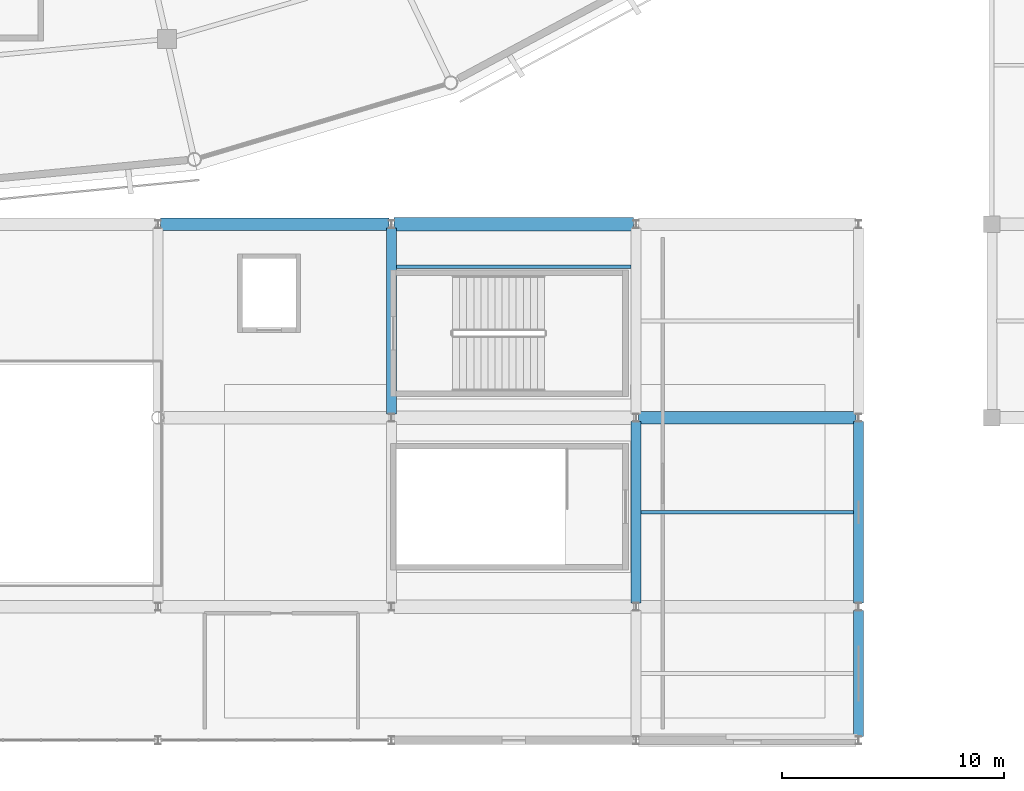
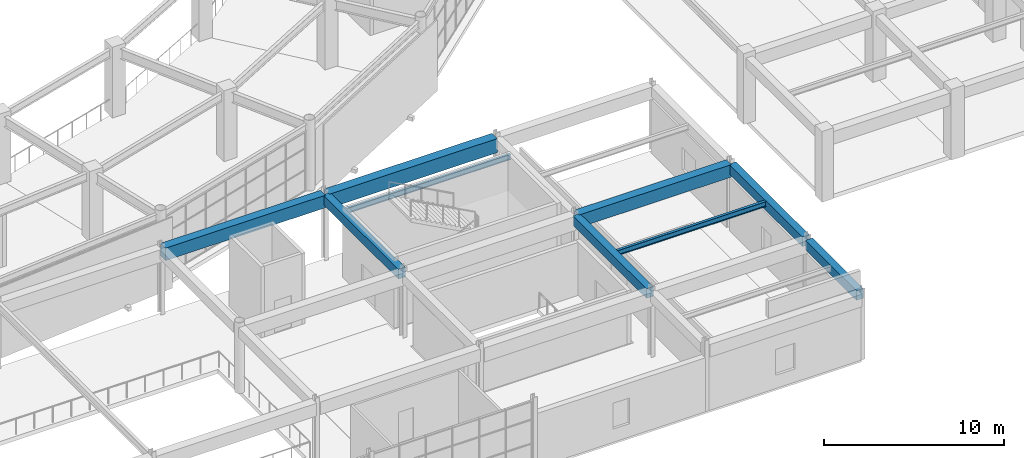
# One storey, part 30 of 112: 9 beams.
"""IFC4 building model written with IfcOpenShell, lengths in metres."""

from ifc_helpers import new_model, si_unit, direction, frame, origin, origin_2d, place, context, subcontext, project, spatial, rectangle, i_section, extrude, material, material_profile, profile_set, type_object, element, save


model = new_model("IFC4")

# Units and contexts
model_context = context("Model", 3, precision=1e-05, world=origin(), true_north=direction((0.0, 1.0)))
body_context = subcontext(model_context, "Body", "Model", "MODEL_VIEW")
ifc_project = project(units=[si_unit("LENGTHUNIT", "METRE"), si_unit("AREAUNIT", "SQUARE_METRE"), si_unit("VOLUMEUNIT", "CUBIC_METRE"), si_unit("PLANEANGLEUNIT", "RADIAN"), si_unit("MASSUNIT", "GRAM", prefix="KILO")], contexts=[model_context])

# Site, building, storey
site_placement = place(None, origin())
site = spatial("IfcSite", under=ifc_project, at=site_placement, CompositionType="ELEMENT")
building_placement = place(site_placement, origin())
building = spatial("IfcBuilding", under=site, at=building_placement, Name="Cuetzalor Civic Arena", CompositionType="ELEMENT")
storey_placement = place(building_placement, frame((0.0, 0.0, 11.39990234375)))
storey = spatial("IfcBuildingStorey", under=building, at=storey_placement, Name="L02", CompositionType="ELEMENT", Elevation=11.39990234375)

# Beams
ifc_material_1 = material(Name="Concrete C40/50", Category="concrete")
ifc_material_profile_1 = material_profile(ifc_material_1, rectangle(XDim=0.550048828125, YDim=0.85009765625, at=origin_2d()), Name="RC 550x850")
ifc_profile_set_1 = profile_set([ifc_material_profile_1], Name="Concrete C40/50")
beam_type_1 = type_object("IfcBeamType", Name="ConcreteFrameBeam_550x850", PredefinedType="BEAM", material=ifc_profile_set_1)
beam_1_placement = place(storey_placement, frame((32.118408203125, -57.0, 4.09521484375), z_axis=(1.0, 0.0, 0.0), x_axis=(0.0, 1.0, 0.0)))
element("IfcBeam", 1, at=beam_1_placement, inside=storey, type_object=beam_type_1, Name="Frame Girder V3-L02-X0592", PredefinedType="BEAM", context=body_context, shape_type="SweptSolid", body=[
    extrude(rectangle(XDim=0.550048828125, YDim=0.85009765625, at=origin_2d()), origin(), (0.0, 0.0, 1.0), 9.76318359375),
])
beam_2_placement = place(storey_placement, frame((10.618408203125, -48.300048828125, 4.09521484375), z_axis=(1.0, 0.0, 0.0), x_axis=(0.0, 1.0, 0.0)))
element("IfcBeam", 2, at=beam_2_placement, inside=storey, type_object=beam_type_1, Name="Frame Girder V3-L02-X0598", PredefinedType="BEAM", context=body_context, shape_type="SweptSolid", body=[
    extrude(rectangle(XDim=0.550048828125, YDim=0.85009765625, at=origin_2d()), origin(), (0.0, 0.0, 1.0), 10.26318359375),
])
ifc_material_2 = material(Name="Concrete C40/50", Category="concrete")
ifc_material_profile_2 = material_profile(ifc_material_2, rectangle(XDim=0.60009765625, YDim=0.949951171875, at=origin_2d()), Name="RC 600x950")
ifc_profile_set_2 = profile_set([ifc_material_profile_2], Name="Concrete C40/50")
beam_type_2 = type_object("IfcBeamType", Name="ConcreteFrameBeam_600x950", PredefinedType="BEAM", material=ifc_profile_set_2)
beam_3_placement = place(storey_placement, frame((21.118408203125, -48.300048828125, 4.045166015625), z_axis=(1.0, 0.0, 0.0), x_axis=(0.0, 1.0, 0.0)))
element("IfcBeam", 3, at=beam_3_placement, inside=storey, type_object=beam_type_2, Name="Frame Girder V3-L02-X0599", PredefinedType="BEAM", context=body_context, shape_type="SweptSolid", body=[
    extrude(rectangle(XDim=0.60009765625, YDim=0.949951171875, at=origin_2d()), origin(), (0.0, 0.0, 1.0), 10.76318359375),
])
ifc_material_3 = material(Name="Concrete C40/50", Category="concrete")
ifc_material_profile_3 = material_profile(ifc_material_3, rectangle(XDim=0.449951171875, YDim=0.64990234375, at=origin_2d()), Name="RC 450x650")
ifc_profile_set_3 = profile_set([ifc_material_profile_3], Name="Concrete C40/50")
beam_type_3 = type_object("IfcBeamType", Name="ConcreteTieBeam_450x650", PredefinedType="BEAM", material=ifc_profile_set_3)
beam_4_placement = place(storey_placement, frame((21.0, -56.82861328125, 4.195068359375), z_axis=(0.0, 1.0, 0.0), x_axis=(-1.0, 0.0, 0.0)))
element("IfcBeam", 4, at=beam_4_placement, inside=storey, type_object=beam_type_3, Name="Frame Girder V3-L02-Y0615", PredefinedType="BEAM", context=body_context, shape_type="SweptSolid", body=[
    extrude(rectangle(XDim=0.449951171875, YDim=0.64990234375, at=origin_2d()), origin(), (0.0, 0.0, 1.0), 8.357177734375),
])
beam_5_placement = place(storey_placement, frame((32.0, -65.32861328125, 4.195068359375), z_axis=(0.0, 1.0, 0.0), x_axis=(-1.0, 0.0, 0.0)))
element("IfcBeam", 5, at=beam_5_placement, inside=storey, type_object=beam_type_3, Name="Frame Girder V3-L02-Y0617", PredefinedType="BEAM", context=body_context, shape_type="SweptSolid", body=[
    extrude(rectangle(XDim=0.449951171875, YDim=0.64990234375, at=origin_2d()), origin(), (0.0, 0.0, 1.0), 8.1572265625),
])
beam_6_placement = place(storey_placement, frame((42.0, -71.32861328125, 4.195068359375), z_axis=(0.0, 1.0, 0.0), x_axis=(-1.0, 0.0, 0.0)))
element("IfcBeam", 6, at=beam_6_placement, inside=storey, type_object=beam_type_3, Name="Frame Girder V3-L02-Y0619", PredefinedType="BEAM", context=body_context, shape_type="SweptSolid", body=[
    extrude(rectangle(XDim=0.449951171875, YDim=0.64990234375, at=origin_2d()), origin(), (0.0, 0.0, 1.0), 5.6572265625),
])
beam_7_placement = place(storey_placement, frame((42.0, -65.32861328125, 4.195068359375), z_axis=(0.0, 1.0, 0.0), x_axis=(-1.0, 0.0, 0.0)))
element("IfcBeam", 7, at=beam_7_placement, inside=storey, type_object=beam_type_3, Name="Frame Girder V3-L02-Y0620", PredefinedType="BEAM", context=body_context, shape_type="SweptSolid", body=[
    extrude(rectangle(XDim=0.449951171875, YDim=0.64990234375, at=origin_2d()), origin(), (0.0, 0.0, 1.0), 8.1572265625),
])
ifc_material_4 = material(Name="Steel S355", Category="steel")
ifc_material_profile_4 = material_profile(ifc_material_4, i_section(OverallWidth=0.1708984375, OverallDepth=0.35498046875, WebThickness=0.007080078125, FlangeThickness=0.01171875, at=origin_2d()), Name="W360x51")
ifc_profile_set_4 = profile_set([ifc_material_profile_4], Name="Steel S355")
beam_type_4 = type_object("IfcBeamType", Name="SecondaryFloorJoist_W360", PredefinedType="JOIST", material=ifc_profile_set_4)
beam_8_placement = place(storey_placement, frame((21.217041015625, -50.214111328125, 4.342529296875), z_axis=(1.0, 0.0, 0.0), x_axis=(0.0, 1.0, 0.0)))
element("IfcBeam", 8, at=beam_8_placement, inside=storey, type_object=beam_type_4, Name="Secondary Floor Joist V3-L02-0185", PredefinedType="JOIST", context=body_context, shape_type="SweptSolid", body=[
    extrude(i_section(OverallWidth=0.1708984375, OverallDepth=0.35498046875, WebThickness=0.007080078125, FlangeThickness=0.01171875, at=origin_2d()), origin(), (0.0, 0.0, 1.0), 10.56591796875),
])
beam_9_placement = place(storey_placement, frame((32.217041015625, -61.25, 4.342529296875), z_axis=(1.0, 0.0, 0.0), x_axis=(0.0, 1.0, 0.0)))
element("IfcBeam", 9, at=beam_9_placement, inside=storey, type_object=beam_type_4, Name="Secondary Floor Joist V3-L02-0187", PredefinedType="JOIST", context=body_context, shape_type="SweptSolid", body=[
    extrude(i_section(OverallWidth=0.1708984375, OverallDepth=0.35498046875, WebThickness=0.007080078125, FlangeThickness=0.01171875, at=origin_2d()), origin(), (0.0, 0.0, 1.0), 9.56591796875),
])

save(model, "model.ifc")
